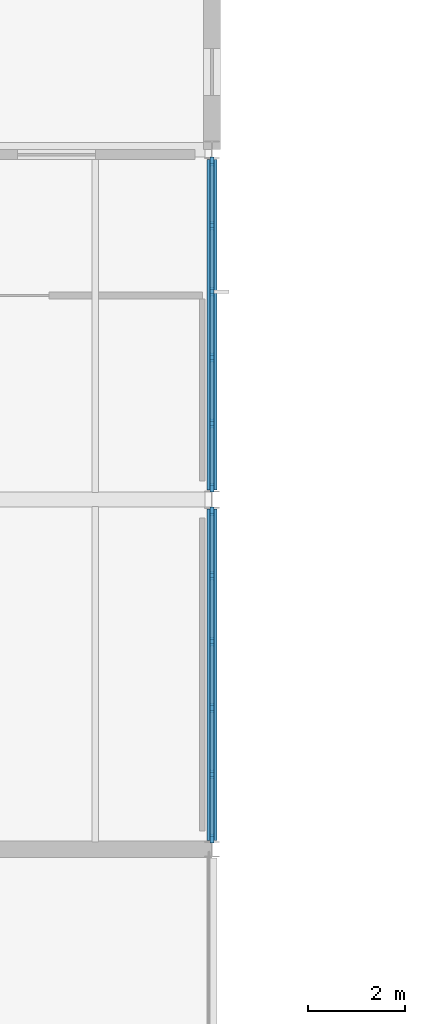
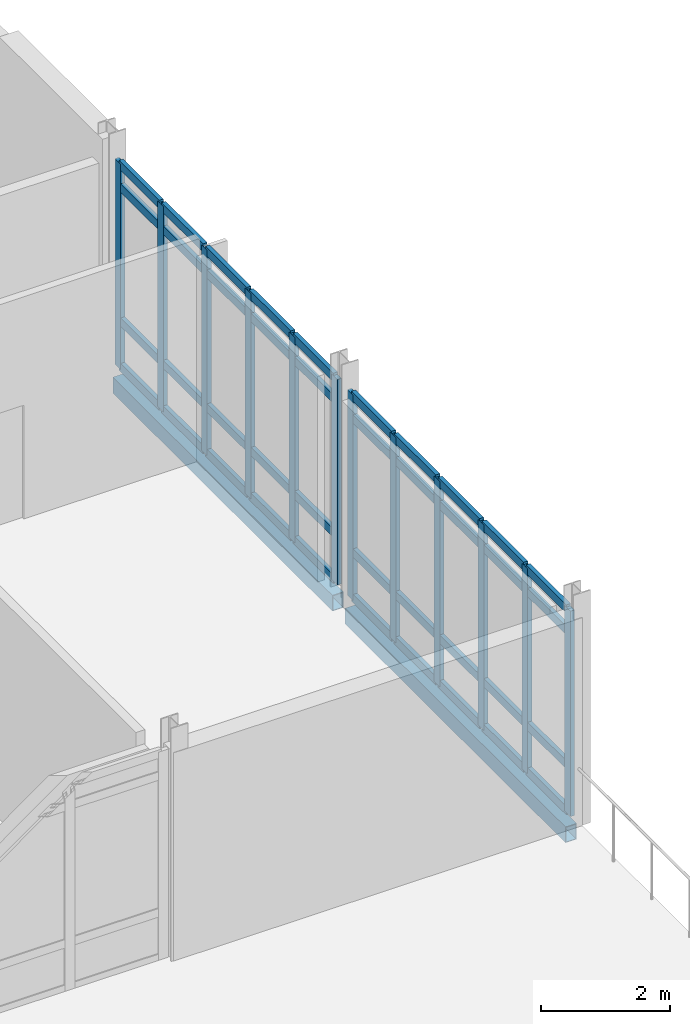
# One storey, part 22 of 53: 52 members, 2 beams, 2 elements without a shape of their own.
"""IFC4 building model written with IfcOpenShell, lengths in metres."""

from ifc_helpers import new_model, si_unit, direction, frame, origin, origin_2d, place, context, subcontext, project, spatial, rectangle, hollow_rectangle, extrude, material, layer, layer_set, material_profile, profile_set, type_object, element, aggregate, save


model = new_model("IFC4")

# Units and contexts
model_context = context("Model", 3, precision=1e-05, world=origin(), true_north=direction((0.0, 1.0)))
body_context = subcontext(model_context, "Body", "Model", "MODEL_VIEW")
ifc_project = project(units=[si_unit("LENGTHUNIT", "METRE"), si_unit("AREAUNIT", "SQUARE_METRE"), si_unit("VOLUMEUNIT", "CUBIC_METRE"), si_unit("PLANEANGLEUNIT", "RADIAN"), si_unit("MASSUNIT", "GRAM", prefix="KILO")], contexts=[model_context])

# Site, building, storey
site_placement = place(None, origin())
site = spatial("IfcSite", under=ifc_project, at=site_placement, CompositionType="ELEMENT")
building_placement = place(site_placement, origin())
building = spatial("IfcBuilding", under=site, at=building_placement, Name="Zarrinpeak Specialist Clinic", CompositionType="ELEMENT")
storey_placement = place(building_placement, frame((0.0, 0.0, 14.0)))
storey = spatial("IfcBuildingStorey", under=building, at=storey_placement, Name="L03", CompositionType="ELEMENT", Elevation=14.0)

# Beams
ifc_material_1 = material(Name="Steel S355", Category="steel")
ifc_material_profile_1 = material_profile(ifc_material_1, hollow_rectangle(XDim=0.199951171875, YDim=0.300048828125, WallThickness=0.012451171875, at=origin_2d()), Name="RHS 300x200x12.5")
ifc_profile_set_1 = profile_set([ifc_material_profile_1], Name="Steel S355")
beam_type = type_object("IfcBeamType", Name="BM-SP300", PredefinedType="SPANDREL", material=ifc_profile_set_1)
beam_1_placement = place(storey_placement, frame((64.800048828125, 89.3779296875, -0.35009765625), z_axis=(0.0, 1.0, 0.0), x_axis=(-1.0, 0.0, 0.0)))
element("IfcBeam", 1, at=beam_1_placement, inside=storey, type_object=beam_type, Name="L03 Perimeter Spandrel Beam BM-L03-Y1681", PredefinedType="SPANDREL", context=body_context, shape_type="SweptSolid", body=[
    extrude(hollow_rectangle(XDim=0.199951171875, YDim=0.300048828125, WallThickness=0.012451171875, at=origin_2d()), origin(), (0.0, 0.0, 1.0), 6.823974609375),
])
beam_2_placement = place(storey_placement, frame((64.800048828125, 96.597900390625, -0.35009765625), z_axis=(0.0, 1.0, 0.0), x_axis=(-1.0, 0.0, 0.0)))
element("IfcBeam", 2, at=beam_2_placement, inside=storey, type_object=beam_type, Name="L03 Perimeter Spandrel Beam BM-L03-Y1682", PredefinedType="SPANDREL", context=body_context, shape_type="SweptSolid", body=[
    extrude(hollow_rectangle(XDim=0.199951171875, YDim=0.300048828125, WallThickness=0.012451171875, at=origin_2d()), origin(), (0.0, 0.0, 1.0), 6.80419921875),
])

# Curtain wall, members
ifc_material_2 = material(Name="Anodised Aluminium Alloy 6063-T6", Category="aluminium")
ifc_layer = layer(ifc_material_2, 0.1650390625)
ifc_layer_set = layer_set([ifc_layer], Name="Anodised Aluminium Alloy 6063-T6")
curtain_wall_type = type_object("IfcCurtainWallType", Name="CW-CLINIC", PredefinedType="NOTDEFINED", material=ifc_layer_set)
curtain_wall_1_placement = place(storey_placement, origin())
curtain_wall_1 = element("IfcCurtainWall", 3, at=curtain_wall_1_placement, inside=storey, type_object=curtain_wall_type, Name="L03 V6 Unitised Curtain Wall CW-L03-V6-151", PredefinedType="NOTDEFINED")
ifc_material_profile_2 = material_profile(ifc_material_2, rectangle(XDim=0.074951171875, YDim=0.179931640625, at=origin_2d()), Name="ALU 75x180")
ifc_profile_set_2 = profile_set([ifc_material_profile_2], Name="Anodised Aluminium Alloy 6063-T6")
member_type_1 = type_object("IfcMemberType", Name="CWM-75", PredefinedType="MULLION", material=ifc_profile_set_2)
member_1_placement = place(storey_placement, frame((64.800048828125, 89.422607421875, 0.0), z_axis=(0.0, 0.0, 1.0), x_axis=(-1.0, 0.0, 0.0)))
member_1 = element("IfcMember", 4, at=member_1_placement, type_object=member_type_1, Name="CW-03 mullion 1", PredefinedType="MULLION", context=body_context, shape_type="SweptSolid", body=[
    extrude(rectangle(XDim=0.074951171875, YDim=0.179931640625, at=origin_2d()), origin(), (0.0, 0.0, 1.0), 3.885009765625),
])
member_2_placement = place(storey_placement, frame((64.800048828125, 90.7470703125, 0.0), z_axis=(0.0, 0.0, 1.0), x_axis=(-1.0, 0.0, 0.0)))
member_2 = element("IfcMember", 5, at=member_2_placement, type_object=member_type_1, Name="CW-03 mullion 2", PredefinedType="MULLION", context=body_context, shape_type="SweptSolid", body=[
    extrude(rectangle(XDim=0.074951171875, YDim=0.179931640625, at=origin_2d()), origin(), (0.0, 0.0, 1.0), 3.885009765625),
])
member_3_placement = place(storey_placement, frame((64.800048828125, 92.10888671875, 0.0), z_axis=(0.0, 0.0, 1.0), x_axis=(-1.0, 0.0, 0.0)))
member_3 = element("IfcMember", 6, at=member_3_placement, type_object=member_type_1, Name="CW-03 mullion 3", PredefinedType="MULLION", context=body_context, shape_type="SweptSolid", body=[
    extrude(rectangle(XDim=0.074951171875, YDim=0.179931640625, at=origin_2d()), origin(), (0.0, 0.0, 1.0), 3.885009765625),
])
member_4_placement = place(storey_placement, frame((64.800048828125, 93.470947265625, 0.0), z_axis=(0.0, 0.0, 1.0), x_axis=(-1.0, 0.0, 0.0)))
member_4 = element("IfcMember", 7, at=member_4_placement, type_object=member_type_1, Name="CW-03 mullion 4", PredefinedType="MULLION", context=body_context, shape_type="SweptSolid", body=[
    extrude(rectangle(XDim=0.074951171875, YDim=0.179931640625, at=origin_2d()), origin(), (0.0, 0.0, 1.0), 3.885009765625),
])
member_5_placement = place(storey_placement, frame((64.800048828125, 94.8330078125, 0.0), z_axis=(0.0, 0.0, 1.0), x_axis=(-1.0, 0.0, 0.0)))
member_5 = element("IfcMember", 8, at=member_5_placement, type_object=member_type_1, Name="CW-03 mullion 5", PredefinedType="MULLION", context=body_context, shape_type="SweptSolid", body=[
    extrude(rectangle(XDim=0.074951171875, YDim=0.179931640625, at=origin_2d()), origin(), (0.0, 0.0, 1.0), 3.885009765625),
])
member_6_placement = place(storey_placement, frame((64.800048828125, 96.157470703125, 0.0), z_axis=(0.0, 0.0, 1.0), x_axis=(-1.0, 0.0, 0.0)))
member_6 = element("IfcMember", 9, at=member_6_placement, type_object=member_type_1, Name="CW-03 mullion 6", PredefinedType="MULLION", context=body_context, shape_type="SweptSolid", body=[
    extrude(rectangle(XDim=0.074951171875, YDim=0.179931640625, at=origin_2d()), origin(), (0.0, 0.0, 1.0), 3.885009765625),
])

curtain_wall_2_placement = place(storey_placement, origin())
curtain_wall_2 = element("IfcCurtainWall", 10, at=curtain_wall_2_placement, inside=storey, type_object=curtain_wall_type, Name="L03 V6 Unitised Curtain Wall CW-L03-V6-152", PredefinedType="NOTDEFINED")
member_7_placement = place(storey_placement, frame((64.800048828125, 96.642578125, 0.0), z_axis=(0.0, 0.0, 1.0), x_axis=(-1.0, 0.0, 0.0)))
member_7 = element("IfcMember", 11, at=member_7_placement, type_object=member_type_1, Name="CW-03 mullion 1", PredefinedType="MULLION", context=body_context, shape_type="SweptSolid", body=[
    extrude(rectangle(XDim=0.074951171875, YDim=0.179931640625, at=origin_2d()), origin(), (0.0, 0.0, 1.0), 3.885009765625),
])
member_8_placement = place(storey_placement, frame((64.800048828125, 97.962890625, 0.0), z_axis=(0.0, 0.0, 1.0), x_axis=(-1.0, 0.0, 0.0)))
member_8 = element("IfcMember", 12, at=member_8_placement, type_object=member_type_1, Name="CW-03 mullion 2", PredefinedType="MULLION", context=body_context, shape_type="SweptSolid", body=[
    extrude(rectangle(XDim=0.074951171875, YDim=0.179931640625, at=origin_2d()), origin(), (0.0, 0.0, 1.0), 3.885009765625),
])
member_9_placement = place(storey_placement, frame((64.800048828125, 99.321044921875, 0.0), z_axis=(0.0, 0.0, 1.0), x_axis=(-1.0, 0.0, 0.0)))
member_9 = element("IfcMember", 13, at=member_9_placement, type_object=member_type_1, Name="CW-03 mullion 3", PredefinedType="MULLION", context=body_context, shape_type="SweptSolid", body=[
    extrude(rectangle(XDim=0.074951171875, YDim=0.179931640625, at=origin_2d()), origin(), (0.0, 0.0, 1.0), 3.885009765625),
])
member_10_placement = place(storey_placement, frame((64.800048828125, 100.678955078125, 0.0), z_axis=(0.0, 0.0, 1.0), x_axis=(-1.0, 0.0, 0.0)))
member_10 = element("IfcMember", 14, at=member_10_placement, type_object=member_type_1, Name="CW-03 mullion 4", PredefinedType="MULLION", context=body_context, shape_type="SweptSolid", body=[
    extrude(rectangle(XDim=0.074951171875, YDim=0.179931640625, at=origin_2d()), origin(), (0.0, 0.0, 1.0), 3.885009765625),
])
member_11_placement = place(storey_placement, frame((64.800048828125, 102.037109375, 0.0), z_axis=(0.0, 0.0, 1.0), x_axis=(-1.0, 0.0, 0.0)))
member_11 = element("IfcMember", 15, at=member_11_placement, type_object=member_type_1, Name="CW-03 mullion 5", PredefinedType="MULLION", context=body_context, shape_type="SweptSolid", body=[
    extrude(rectangle(XDim=0.074951171875, YDim=0.179931640625, at=origin_2d()), origin(), (0.0, 0.0, 1.0), 3.885009765625),
])
member_12_placement = place(storey_placement, frame((64.800048828125, 103.357421875, 0.0), z_axis=(0.0, 0.0, 1.0), x_axis=(-1.0, 0.0, 0.0)))
member_12 = element("IfcMember", 16, at=member_12_placement, type_object=member_type_1, Name="CW-03 mullion 6", PredefinedType="MULLION", context=body_context, shape_type="SweptSolid", body=[
    extrude(rectangle(XDim=0.074951171875, YDim=0.179931640625, at=origin_2d()), origin(), (0.0, 0.0, 1.0), 3.885009765625),
])

# Member
ifc_material_profile_3 = material_profile(ifc_material_2, rectangle(XDim=0.074951171875, YDim=0.159912109375, at=origin_2d()), Name="ALU 75x160")
ifc_profile_set_3 = profile_set([ifc_material_profile_3], Name="Anodised Aluminium Alloy 6063-T6")
member_type_2 = type_object("IfcMemberType", Name="CWT-75", PredefinedType="USERDEFINED", material=ifc_profile_set_3)
member_13_placement = place(storey_placement, frame((64.800048828125, 89.4599609375, 0.03759765625), z_axis=(0.0, 1.0, 0.0), x_axis=(-1.0, 0.0, 0.0)))
member_13 = element("IfcMember", 17, at=member_13_placement, type_object=member_type_2, Name="CW-03 transom 1.1", ObjectType="TRANSOM", PredefinedType="USERDEFINED", context=body_context, shape_type="SweptSolid", body=[
    extrude(rectangle(XDim=0.074951171875, YDim=0.159912109375, at=origin_2d()), origin(), (0.0, 0.0, 1.0), 1.24951171875),
])

member_14_placement = place(storey_placement, frame((64.800048828125, 89.4599609375, 0.89990234375), z_axis=(0.0, 1.0, 0.0), x_axis=(-1.0, 0.0, 0.0)))
member_14 = element("IfcMember", 18, at=member_14_placement, type_object=member_type_2, Name="CW-03 transom 1.2", ObjectType="TRANSOM", PredefinedType="USERDEFINED", context=body_context, shape_type="SweptSolid", body=[
    extrude(rectangle(XDim=0.074951171875, YDim=0.159912109375, at=origin_2d()), origin(), (0.0, 0.0, 1.0), 1.24951171875),
])

member_15_placement = place(storey_placement, frame((64.800048828125, 89.4599609375, 3.43505859375), z_axis=(0.0, 1.0, 0.0), x_axis=(-1.0, 0.0, 0.0)))
member_15 = element("IfcMember", 19, at=member_15_placement, type_object=member_type_2, Name="CW-03 transom 1.3", ObjectType="TRANSOM", PredefinedType="USERDEFINED", context=body_context, shape_type="SweptSolid", body=[
    extrude(rectangle(XDim=0.074951171875, YDim=0.159912109375, at=origin_2d()), origin(), (0.0, 0.0, 1.0), 1.24951171875),
])

member_16_placement = place(storey_placement, frame((64.800048828125, 89.4599609375, 3.847412109375), z_axis=(0.0, 1.0, 0.0), x_axis=(-1.0, 0.0, 0.0)))
member_16 = element("IfcMember", 20, at=member_16_placement, type_object=member_type_2, Name="CW-03 transom 1.4", ObjectType="TRANSOM", PredefinedType="USERDEFINED", context=body_context, shape_type="SweptSolid", body=[
    extrude(rectangle(XDim=0.074951171875, YDim=0.159912109375, at=origin_2d()), origin(), (0.0, 0.0, 1.0), 1.24951171875),
])

member_17_placement = place(storey_placement, frame((64.800048828125, 90.784423828125, 0.03759765625), z_axis=(0.0, 1.0, 0.0), x_axis=(-1.0, 0.0, 0.0)))
member_17 = element("IfcMember", 21, at=member_17_placement, type_object=member_type_2, Name="CW-03 transom 2.1", ObjectType="TRANSOM", PredefinedType="USERDEFINED", context=body_context, shape_type="SweptSolid", body=[
    extrude(rectangle(XDim=0.074951171875, YDim=0.159912109375, at=origin_2d()), origin(), (0.0, 0.0, 1.0), 1.287109375),
])

member_18_placement = place(storey_placement, frame((64.800048828125, 90.784423828125, 0.89990234375), z_axis=(0.0, 1.0, 0.0), x_axis=(-1.0, 0.0, 0.0)))
member_18 = element("IfcMember", 22, at=member_18_placement, type_object=member_type_2, Name="CW-03 transom 2.2", ObjectType="TRANSOM", PredefinedType="USERDEFINED", context=body_context, shape_type="SweptSolid", body=[
    extrude(rectangle(XDim=0.074951171875, YDim=0.159912109375, at=origin_2d()), origin(), (0.0, 0.0, 1.0), 1.287109375),
])

member_19_placement = place(storey_placement, frame((64.800048828125, 90.784423828125, 3.43505859375), z_axis=(0.0, 1.0, 0.0), x_axis=(-1.0, 0.0, 0.0)))
member_19 = element("IfcMember", 23, at=member_19_placement, type_object=member_type_2, Name="CW-03 transom 2.3", ObjectType="TRANSOM", PredefinedType="USERDEFINED", context=body_context, shape_type="SweptSolid", body=[
    extrude(rectangle(XDim=0.074951171875, YDim=0.159912109375, at=origin_2d()), origin(), (0.0, 0.0, 1.0), 1.287109375),
])

member_20_placement = place(storey_placement, frame((64.800048828125, 90.784423828125, 3.847412109375), z_axis=(0.0, 1.0, 0.0), x_axis=(-1.0, 0.0, 0.0)))
member_20 = element("IfcMember", 24, at=member_20_placement, type_object=member_type_2, Name="CW-03 transom 2.4", ObjectType="TRANSOM", PredefinedType="USERDEFINED", context=body_context, shape_type="SweptSolid", body=[
    extrude(rectangle(XDim=0.074951171875, YDim=0.159912109375, at=origin_2d()), origin(), (0.0, 0.0, 1.0), 1.287109375),
])

member_21_placement = place(storey_placement, frame((64.800048828125, 92.146484375, 0.03759765625), z_axis=(0.0, 1.0, 0.0), x_axis=(-1.0, 0.0, 0.0)))
member_21 = element("IfcMember", 25, at=member_21_placement, type_object=member_type_2, Name="CW-03 transom 3.1", ObjectType="TRANSOM", PredefinedType="USERDEFINED", context=body_context, shape_type="SweptSolid", body=[
    extrude(rectangle(XDim=0.074951171875, YDim=0.159912109375, at=origin_2d()), origin(), (0.0, 0.0, 1.0), 1.287109375),
])

member_22_placement = place(storey_placement, frame((64.800048828125, 92.146484375, 0.89990234375), z_axis=(0.0, 1.0, 0.0), x_axis=(-1.0, 0.0, 0.0)))
member_22 = element("IfcMember", 26, at=member_22_placement, type_object=member_type_2, Name="CW-03 transom 3.2", ObjectType="TRANSOM", PredefinedType="USERDEFINED", context=body_context, shape_type="SweptSolid", body=[
    extrude(rectangle(XDim=0.074951171875, YDim=0.159912109375, at=origin_2d()), origin(), (0.0, 0.0, 1.0), 1.287109375),
])

member_23_placement = place(storey_placement, frame((64.800048828125, 92.146484375, 3.43505859375), z_axis=(0.0, 1.0, 0.0), x_axis=(-1.0, 0.0, 0.0)))
member_23 = element("IfcMember", 27, at=member_23_placement, type_object=member_type_2, Name="CW-03 transom 3.3", ObjectType="TRANSOM", PredefinedType="USERDEFINED", context=body_context, shape_type="SweptSolid", body=[
    extrude(rectangle(XDim=0.074951171875, YDim=0.159912109375, at=origin_2d()), origin(), (0.0, 0.0, 1.0), 1.287109375),
])

member_24_placement = place(storey_placement, frame((64.800048828125, 92.146484375, 3.847412109375), z_axis=(0.0, 1.0, 0.0), x_axis=(-1.0, 0.0, 0.0)))
member_24 = element("IfcMember", 28, at=member_24_placement, type_object=member_type_2, Name="CW-03 transom 3.4", ObjectType="TRANSOM", PredefinedType="USERDEFINED", context=body_context, shape_type="SweptSolid", body=[
    extrude(rectangle(XDim=0.074951171875, YDim=0.159912109375, at=origin_2d()), origin(), (0.0, 0.0, 1.0), 1.287109375),
])

member_25_placement = place(storey_placement, frame((64.800048828125, 93.508544921875, 0.03759765625), z_axis=(0.0, 1.0, 0.0), x_axis=(-1.0, 0.0, 0.0)))
member_25 = element("IfcMember", 29, at=member_25_placement, type_object=member_type_2, Name="CW-03 transom 4.1", ObjectType="TRANSOM", PredefinedType="USERDEFINED", context=body_context, shape_type="SweptSolid", body=[
    extrude(rectangle(XDim=0.074951171875, YDim=0.159912109375, at=origin_2d()), origin(), (0.0, 0.0, 1.0), 1.286865234375),
])

member_26_placement = place(storey_placement, frame((64.800048828125, 93.508544921875, 0.89990234375), z_axis=(0.0, 1.0, 0.0), x_axis=(-1.0, 0.0, 0.0)))
member_26 = element("IfcMember", 30, at=member_26_placement, type_object=member_type_2, Name="CW-03 transom 4.2", ObjectType="TRANSOM", PredefinedType="USERDEFINED", context=body_context, shape_type="SweptSolid", body=[
    extrude(rectangle(XDim=0.074951171875, YDim=0.159912109375, at=origin_2d()), origin(), (0.0, 0.0, 1.0), 1.286865234375),
])

member_27_placement = place(storey_placement, frame((64.800048828125, 93.508544921875, 3.43505859375), z_axis=(0.0, 1.0, 0.0), x_axis=(-1.0, 0.0, 0.0)))
member_27 = element("IfcMember", 31, at=member_27_placement, type_object=member_type_2, Name="CW-03 transom 4.3", ObjectType="TRANSOM", PredefinedType="USERDEFINED", context=body_context, shape_type="SweptSolid", body=[
    extrude(rectangle(XDim=0.074951171875, YDim=0.159912109375, at=origin_2d()), origin(), (0.0, 0.0, 1.0), 1.286865234375),
])

member_28_placement = place(storey_placement, frame((64.800048828125, 93.508544921875, 3.847412109375), z_axis=(0.0, 1.0, 0.0), x_axis=(-1.0, 0.0, 0.0)))
member_28 = element("IfcMember", 32, at=member_28_placement, type_object=member_type_2, Name="CW-03 transom 4.4", ObjectType="TRANSOM", PredefinedType="USERDEFINED", context=body_context, shape_type="SweptSolid", body=[
    extrude(rectangle(XDim=0.074951171875, YDim=0.159912109375, at=origin_2d()), origin(), (0.0, 0.0, 1.0), 1.286865234375),
])

member_29_placement = place(storey_placement, frame((64.800048828125, 94.87060546875, 0.03759765625), z_axis=(0.0, 1.0, 0.0), x_axis=(-1.0, 0.0, 0.0)))
member_29 = element("IfcMember", 33, at=member_29_placement, type_object=member_type_2, Name="CW-03 transom 5.1", ObjectType="TRANSOM", PredefinedType="USERDEFINED", context=body_context, shape_type="SweptSolid", body=[
    extrude(rectangle(XDim=0.074951171875, YDim=0.159912109375, at=origin_2d()), origin(), (0.0, 0.0, 1.0), 1.24951171875),
])

member_30_placement = place(storey_placement, frame((64.800048828125, 94.87060546875, 0.89990234375), z_axis=(0.0, 1.0, 0.0), x_axis=(-1.0, 0.0, 0.0)))
member_30 = element("IfcMember", 34, at=member_30_placement, type_object=member_type_2, Name="CW-03 transom 5.2", ObjectType="TRANSOM", PredefinedType="USERDEFINED", context=body_context, shape_type="SweptSolid", body=[
    extrude(rectangle(XDim=0.074951171875, YDim=0.159912109375, at=origin_2d()), origin(), (0.0, 0.0, 1.0), 1.24951171875),
])

member_31_placement = place(storey_placement, frame((64.800048828125, 94.87060546875, 3.43505859375), z_axis=(0.0, 1.0, 0.0), x_axis=(-1.0, 0.0, 0.0)))
member_31 = element("IfcMember", 35, at=member_31_placement, type_object=member_type_2, Name="CW-03 transom 5.3", ObjectType="TRANSOM", PredefinedType="USERDEFINED", context=body_context, shape_type="SweptSolid", body=[
    extrude(rectangle(XDim=0.074951171875, YDim=0.159912109375, at=origin_2d()), origin(), (0.0, 0.0, 1.0), 1.24951171875),
])

member_32_placement = place(storey_placement, frame((64.800048828125, 94.87060546875, 3.847412109375), z_axis=(0.0, 1.0, 0.0), x_axis=(-1.0, 0.0, 0.0)))
member_32 = element("IfcMember", 36, at=member_32_placement, type_object=member_type_2, Name="CW-03 transom 5.4", ObjectType="TRANSOM", PredefinedType="USERDEFINED", context=body_context, shape_type="SweptSolid", body=[
    extrude(rectangle(XDim=0.074951171875, YDim=0.159912109375, at=origin_2d()), origin(), (0.0, 0.0, 1.0), 1.24951171875),
])

aggregate(curtain_wall_1, [member_1, member_2, member_3, member_4, member_5, member_6, member_13, member_14, member_15, member_16, member_17, member_18, member_19, member_20, member_21, member_22, member_23, member_24, member_25, member_26, member_27, member_28, member_29, member_30, member_31, member_32])

member_33_placement = place(storey_placement, frame((64.800048828125, 96.679931640625, 0.03759765625), z_axis=(0.0, 1.0, 0.0), x_axis=(-1.0, 0.0, 0.0)))
member_33 = element("IfcMember", 37, at=member_33_placement, type_object=member_type_2, Name="CW-03 transom 1.1", ObjectType="TRANSOM", PredefinedType="USERDEFINED", context=body_context, shape_type="SweptSolid", body=[
    extrude(rectangle(XDim=0.074951171875, YDim=0.159912109375, at=origin_2d()), origin(), (0.0, 0.0, 1.0), 1.24560546875),
])

member_34_placement = place(storey_placement, frame((64.800048828125, 96.679931640625, 0.89990234375), z_axis=(0.0, 1.0, 0.0), x_axis=(-1.0, 0.0, 0.0)))
member_34 = element("IfcMember", 38, at=member_34_placement, type_object=member_type_2, Name="CW-03 transom 1.2", ObjectType="TRANSOM", PredefinedType="USERDEFINED", context=body_context, shape_type="SweptSolid", body=[
    extrude(rectangle(XDim=0.074951171875, YDim=0.159912109375, at=origin_2d()), origin(), (0.0, 0.0, 1.0), 1.24560546875),
])

member_35_placement = place(storey_placement, frame((64.800048828125, 96.679931640625, 3.43505859375), z_axis=(0.0, 1.0, 0.0), x_axis=(-1.0, 0.0, 0.0)))
member_35 = element("IfcMember", 39, at=member_35_placement, type_object=member_type_2, Name="CW-03 transom 1.3", ObjectType="TRANSOM", PredefinedType="USERDEFINED", context=body_context, shape_type="SweptSolid", body=[
    extrude(rectangle(XDim=0.074951171875, YDim=0.159912109375, at=origin_2d()), origin(), (0.0, 0.0, 1.0), 1.24560546875),
])

member_36_placement = place(storey_placement, frame((64.800048828125, 96.679931640625, 3.847412109375), z_axis=(0.0, 1.0, 0.0), x_axis=(-1.0, 0.0, 0.0)))
member_36 = element("IfcMember", 40, at=member_36_placement, type_object=member_type_2, Name="CW-03 transom 1.4", ObjectType="TRANSOM", PredefinedType="USERDEFINED", context=body_context, shape_type="SweptSolid", body=[
    extrude(rectangle(XDim=0.074951171875, YDim=0.159912109375, at=origin_2d()), origin(), (0.0, 0.0, 1.0), 1.24560546875),
])

member_37_placement = place(storey_placement, frame((64.800048828125, 98.00048828125, 0.03759765625), z_axis=(0.0, 1.0, 0.0), x_axis=(-1.0, 0.0, 0.0)))
member_37 = element("IfcMember", 41, at=member_37_placement, type_object=member_type_2, Name="CW-03 transom 2.1", ObjectType="TRANSOM", PredefinedType="USERDEFINED", context=body_context, shape_type="SweptSolid", body=[
    extrude(rectangle(XDim=0.074951171875, YDim=0.159912109375, at=origin_2d()), origin(), (0.0, 0.0, 1.0), 1.282958984375),
])

member_38_placement = place(storey_placement, frame((64.800048828125, 98.00048828125, 0.89990234375), z_axis=(0.0, 1.0, 0.0), x_axis=(-1.0, 0.0, 0.0)))
member_38 = element("IfcMember", 42, at=member_38_placement, type_object=member_type_2, Name="CW-03 transom 2.2", ObjectType="TRANSOM", PredefinedType="USERDEFINED", context=body_context, shape_type="SweptSolid", body=[
    extrude(rectangle(XDim=0.074951171875, YDim=0.159912109375, at=origin_2d()), origin(), (0.0, 0.0, 1.0), 1.282958984375),
])

member_39_placement = place(storey_placement, frame((64.800048828125, 98.00048828125, 3.43505859375), z_axis=(0.0, 1.0, 0.0), x_axis=(-1.0, 0.0, 0.0)))
member_39 = element("IfcMember", 43, at=member_39_placement, type_object=member_type_2, Name="CW-03 transom 2.3", ObjectType="TRANSOM", PredefinedType="USERDEFINED", context=body_context, shape_type="SweptSolid", body=[
    extrude(rectangle(XDim=0.074951171875, YDim=0.159912109375, at=origin_2d()), origin(), (0.0, 0.0, 1.0), 1.282958984375),
])

member_40_placement = place(storey_placement, frame((64.800048828125, 98.00048828125, 3.847412109375), z_axis=(0.0, 1.0, 0.0), x_axis=(-1.0, 0.0, 0.0)))
member_40 = element("IfcMember", 44, at=member_40_placement, type_object=member_type_2, Name="CW-03 transom 2.4", ObjectType="TRANSOM", PredefinedType="USERDEFINED", context=body_context, shape_type="SweptSolid", body=[
    extrude(rectangle(XDim=0.074951171875, YDim=0.159912109375, at=origin_2d()), origin(), (0.0, 0.0, 1.0), 1.282958984375),
])

member_41_placement = place(storey_placement, frame((64.800048828125, 99.3583984375, 0.03759765625), z_axis=(0.0, 1.0, 0.0), x_axis=(-1.0, 0.0, 0.0)))
member_41 = element("IfcMember", 45, at=member_41_placement, type_object=member_type_2, Name="CW-03 transom 3.1", ObjectType="TRANSOM", PredefinedType="USERDEFINED", context=body_context, shape_type="SweptSolid", body=[
    extrude(rectangle(XDim=0.074951171875, YDim=0.159912109375, at=origin_2d()), origin(), (0.0, 0.0, 1.0), 1.283203125),
])

member_42_placement = place(storey_placement, frame((64.800048828125, 99.3583984375, 0.89990234375), z_axis=(0.0, 1.0, 0.0), x_axis=(-1.0, 0.0, 0.0)))
member_42 = element("IfcMember", 46, at=member_42_placement, type_object=member_type_2, Name="CW-03 transom 3.2", ObjectType="TRANSOM", PredefinedType="USERDEFINED", context=body_context, shape_type="SweptSolid", body=[
    extrude(rectangle(XDim=0.074951171875, YDim=0.159912109375, at=origin_2d()), origin(), (0.0, 0.0, 1.0), 1.283203125),
])

member_43_placement = place(storey_placement, frame((64.800048828125, 99.3583984375, 3.43505859375), z_axis=(0.0, 1.0, 0.0), x_axis=(-1.0, 0.0, 0.0)))
member_43 = element("IfcMember", 47, at=member_43_placement, type_object=member_type_2, Name="CW-03 transom 3.3", ObjectType="TRANSOM", PredefinedType="USERDEFINED", context=body_context, shape_type="SweptSolid", body=[
    extrude(rectangle(XDim=0.074951171875, YDim=0.159912109375, at=origin_2d()), origin(), (0.0, 0.0, 1.0), 1.283203125),
])

member_44_placement = place(storey_placement, frame((64.800048828125, 99.3583984375, 3.847412109375), z_axis=(0.0, 1.0, 0.0), x_axis=(-1.0, 0.0, 0.0)))
member_44 = element("IfcMember", 48, at=member_44_placement, type_object=member_type_2, Name="CW-03 transom 3.4", ObjectType="TRANSOM", PredefinedType="USERDEFINED", context=body_context, shape_type="SweptSolid", body=[
    extrude(rectangle(XDim=0.074951171875, YDim=0.159912109375, at=origin_2d()), origin(), (0.0, 0.0, 1.0), 1.283203125),
])

member_45_placement = place(storey_placement, frame((64.800048828125, 100.716552734375, 0.03759765625), z_axis=(0.0, 1.0, 0.0), x_axis=(-1.0, 0.0, 0.0)))
member_45 = element("IfcMember", 49, at=member_45_placement, type_object=member_type_2, Name="CW-03 transom 4.1", ObjectType="TRANSOM", PredefinedType="USERDEFINED", context=body_context, shape_type="SweptSolid", body=[
    extrude(rectangle(XDim=0.074951171875, YDim=0.159912109375, at=origin_2d()), origin(), (0.0, 0.0, 1.0), 1.282958984375),
])

member_46_placement = place(storey_placement, frame((64.800048828125, 100.716552734375, 0.89990234375), z_axis=(0.0, 1.0, 0.0), x_axis=(-1.0, 0.0, 0.0)))
member_46 = element("IfcMember", 50, at=member_46_placement, type_object=member_type_2, Name="CW-03 transom 4.2", ObjectType="TRANSOM", PredefinedType="USERDEFINED", context=body_context, shape_type="SweptSolid", body=[
    extrude(rectangle(XDim=0.074951171875, YDim=0.159912109375, at=origin_2d()), origin(), (0.0, 0.0, 1.0), 1.282958984375),
])

member_47_placement = place(storey_placement, frame((64.800048828125, 100.716552734375, 3.43505859375), z_axis=(0.0, 1.0, 0.0), x_axis=(-1.0, 0.0, 0.0)))
member_47 = element("IfcMember", 51, at=member_47_placement, type_object=member_type_2, Name="CW-03 transom 4.3", ObjectType="TRANSOM", PredefinedType="USERDEFINED", context=body_context, shape_type="SweptSolid", body=[
    extrude(rectangle(XDim=0.074951171875, YDim=0.159912109375, at=origin_2d()), origin(), (0.0, 0.0, 1.0), 1.282958984375),
])

member_48_placement = place(storey_placement, frame((64.800048828125, 100.716552734375, 3.847412109375), z_axis=(0.0, 1.0, 0.0), x_axis=(-1.0, 0.0, 0.0)))
member_48 = element("IfcMember", 52, at=member_48_placement, type_object=member_type_2, Name="CW-03 transom 4.4", ObjectType="TRANSOM", PredefinedType="USERDEFINED", context=body_context, shape_type="SweptSolid", body=[
    extrude(rectangle(XDim=0.074951171875, YDim=0.159912109375, at=origin_2d()), origin(), (0.0, 0.0, 1.0), 1.282958984375),
])

member_49_placement = place(storey_placement, frame((64.800048828125, 102.074462890625, 0.03759765625), z_axis=(0.0, 1.0, 0.0), x_axis=(-1.0, 0.0, 0.0)))
member_49 = element("IfcMember", 53, at=member_49_placement, type_object=member_type_2, Name="CW-03 transom 5.1", ObjectType="TRANSOM", PredefinedType="USERDEFINED", context=body_context, shape_type="SweptSolid", body=[
    extrude(rectangle(XDim=0.074951171875, YDim=0.159912109375, at=origin_2d()), origin(), (0.0, 0.0, 1.0), 1.24560546875),
])

member_50_placement = place(storey_placement, frame((64.800048828125, 102.074462890625, 0.89990234375), z_axis=(0.0, 1.0, 0.0), x_axis=(-1.0, 0.0, 0.0)))
member_50 = element("IfcMember", 54, at=member_50_placement, type_object=member_type_2, Name="CW-03 transom 5.2", ObjectType="TRANSOM", PredefinedType="USERDEFINED", context=body_context, shape_type="SweptSolid", body=[
    extrude(rectangle(XDim=0.074951171875, YDim=0.159912109375, at=origin_2d()), origin(), (0.0, 0.0, 1.0), 1.24560546875),
])

member_51_placement = place(storey_placement, frame((64.800048828125, 102.074462890625, 3.43505859375), z_axis=(0.0, 1.0, 0.0), x_axis=(-1.0, 0.0, 0.0)))
member_51 = element("IfcMember", 55, at=member_51_placement, type_object=member_type_2, Name="CW-03 transom 5.3", ObjectType="TRANSOM", PredefinedType="USERDEFINED", context=body_context, shape_type="SweptSolid", body=[
    extrude(rectangle(XDim=0.074951171875, YDim=0.159912109375, at=origin_2d()), origin(), (0.0, 0.0, 1.0), 1.24560546875),
])

member_52_placement = place(storey_placement, frame((64.800048828125, 102.074462890625, 3.847412109375), z_axis=(0.0, 1.0, 0.0), x_axis=(-1.0, 0.0, 0.0)))
member_52 = element("IfcMember", 56, at=member_52_placement, type_object=member_type_2, Name="CW-03 transom 5.4", ObjectType="TRANSOM", PredefinedType="USERDEFINED", context=body_context, shape_type="SweptSolid", body=[
    extrude(rectangle(XDim=0.074951171875, YDim=0.159912109375, at=origin_2d()), origin(), (0.0, 0.0, 1.0), 1.24560546875),
])

aggregate(curtain_wall_2, [member_7, member_8, member_9, member_10, member_11, member_12, member_33, member_34, member_35, member_36, member_37, member_38, member_39, member_40, member_41, member_42, member_43, member_44, member_45, member_46, member_47, member_48, member_49, member_50, member_51, member_52])

save(model, "model.ifc")
